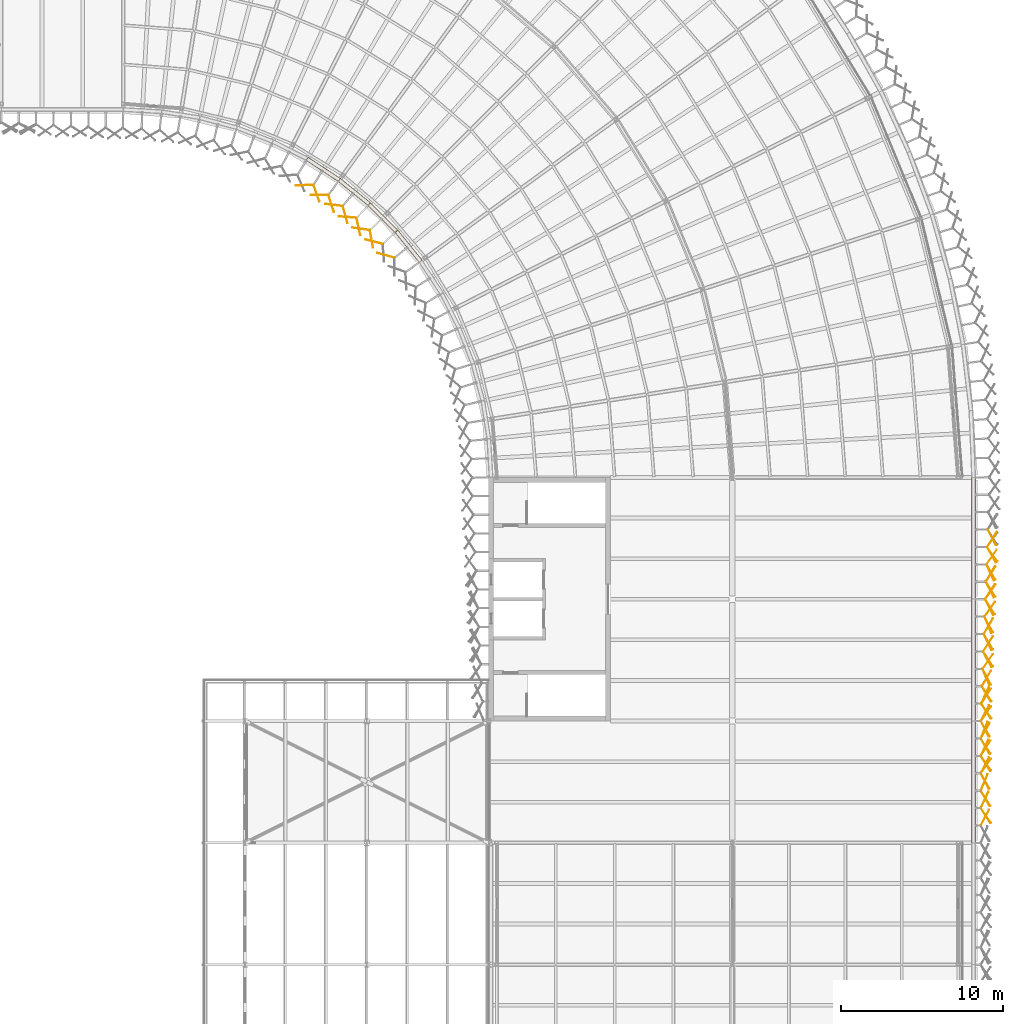
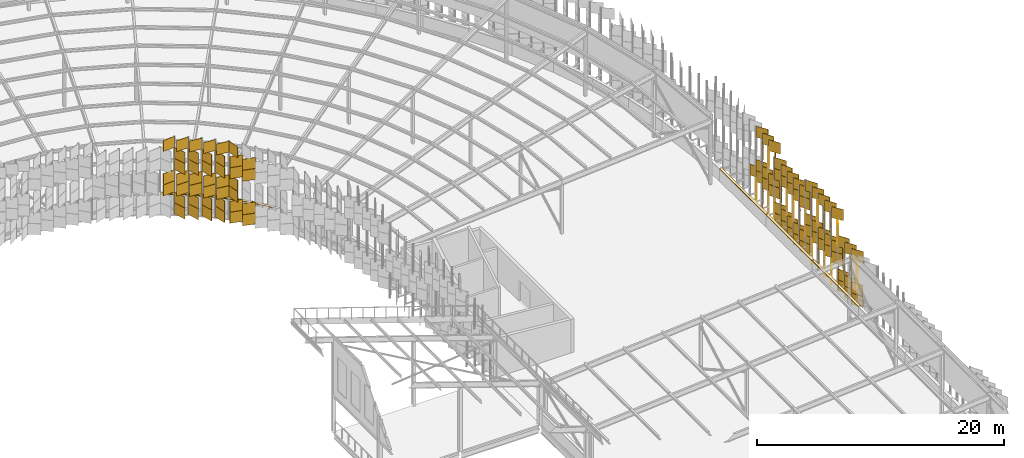
# One storey, part 473 of 483: 153 coverings.
"""IFC4 building model written with IfcOpenShell, lengths in metres."""

from ifc_helpers import new_model, si_unit, direction, frame, origin, origin_2d, place, context, subcontext, project, spatial, polyline, rectangle, outline, extrude, material, layer, layer_set, type_object, element, save


model = new_model("IFC4")

# Units and contexts
model_context = context("Model", 3, precision=1e-05, world=origin(), true_north=direction((0.0, 1.0)))
body_context = subcontext(model_context, "Body", "Model", "MODEL_VIEW")
ifc_project = project(units=[si_unit("LENGTHUNIT", "METRE"), si_unit("AREAUNIT", "SQUARE_METRE"), si_unit("VOLUMEUNIT", "CUBIC_METRE"), si_unit("PLANEANGLEUNIT", "RADIAN"), si_unit("MASSUNIT", "GRAM", prefix="KILO")], contexts=[model_context])

# Site, building, storey
site_placement = place(None, origin())
site = spatial("IfcSite", under=ifc_project, at=site_placement, CompositionType="ELEMENT")
building_placement = place(site_placement, origin())
building = spatial("IfcBuilding", under=site, at=building_placement, Name="Parallax Yard Mobility Hub", CompositionType="ELEMENT")
storey_placement = place(building_placement, frame((0.0, 0.0, 13.199951171875)))
storey = spatial("IfcBuildingStorey", under=building, at=storey_placement, Name="L04", CompositionType="ELEMENT", Elevation=13.199951171875)

# Coverings
ifc_material_1 = material(Name="Concrete fc' 35 MPa", Category="concrete")
ifc_layer_1 = layer(ifc_material_1, 0.06005859375)
ifc_layer_set_1 = layer_set([ifc_layer_1], Name="Parapet coping, Concrete fc' 35 MPa precast, 240")
covering_type_1 = type_object("IfcCoveringType", Name="Parapet coping, Concrete fc' 35 MPa precast, 240", PredefinedType="USERDEFINED", material=ifc_layer_set_1)
covering_1_placement = place(storey_placement, frame((0.0, 0.0, 1.199951171875)))
element("IfcCovering", 1, at=covering_1_placement, inside=storey, type_object=covering_type_1, Name="Parapet coping run 2 part 10", ObjectType="COPING", PredefinedType="USERDEFINED", context=body_context, shape_type="SweptSolid", body=[
    extrude(outline(polyline([(183.88330078125, 109.71630859375), (183.76318359375, 109.508056640625), (185.73388671875, 108.21435546875), (185.87548828125, 108.408447265625), (183.88330078125, 109.71630859375)])), origin(), (0.0, 0.0, 1.0), 0.06005859375),
])
covering_2_placement = place(storey_placement, frame((0.0, 0.0, 1.199951171875)))
element("IfcCovering", 2, at=covering_2_placement, inside=storey, type_object=covering_type_1, Name="Parapet coping run 2 part 11", ObjectType="COPING", PredefinedType="USERDEFINED", context=body_context, shape_type="SweptSolid", body=[
    extrude(outline(polyline([(185.87548828125, 108.408447265625), (185.73388671875, 108.21435546875), (187.56787109375, 106.734375), (187.728515625, 106.9130859375), (185.87548828125, 108.408447265625)])), origin(), (0.0, 0.0, 1.0), 0.06005859375),
])
covering_3_placement = place(storey_placement, frame((0.0, 0.0, 1.199951171875)))
element("IfcCovering", 3, at=covering_3_placement, inside=storey, type_object=covering_type_1, Name="Parapet coping run 2 part 12", ObjectType="COPING", PredefinedType="USERDEFINED", context=body_context, shape_type="SweptSolid", body=[
    extrude(outline(polyline([(187.728515625, 106.9130859375), (187.56787109375, 106.734375), (189.234619140625, 105.0673828125), (189.413330078125, 105.228271484375), (187.728515625, 106.9130859375)])), origin(), (0.0, 0.0, 1.0), 0.06005859375),
])
covering_4_placement = place(storey_placement, frame((0.0, 0.0, 1.199951171875)))
element("IfcCovering", 4, at=covering_4_placement, inside=storey, type_object=covering_type_1, Name="Parapet coping run 2 part 13", ObjectType="COPING", PredefinedType="USERDEFINED", context=body_context, shape_type="SweptSolid", body=[
    extrude(outline(polyline([(189.413330078125, 105.228271484375), (189.234619140625, 105.0673828125), (190.714599609375, 103.233642578125), (190.90869140625, 103.375244140625), (189.413330078125, 105.228271484375)])), origin(), (0.0, 0.0, 1.0), 0.06005859375),
])
covering_5_placement = place(storey_placement, frame((0.0, 0.0, 1.199951171875)))
element("IfcCovering", 5, at=covering_5_placement, inside=storey, type_object=covering_type_1, Name="Parapet coping run 4 part 14", ObjectType="COPING", PredefinedType="USERDEFINED", context=body_context, shape_type="SweptSolid", body=[
    extrude(outline(polyline([(224.73388671875, 67.500244140625), (224.97412109375, 67.500244140625), (224.97412109375, 75.000244140625), (224.73388671875, 75.000244140625), (224.73388671875, 67.500244140625)])), origin(), (0.0, 0.0, 1.0), 0.06005859375),
])
covering_6_placement = place(storey_placement, frame((0.0, 0.0, 1.199951171875)))
element("IfcCovering", 6, at=covering_6_placement, inside=storey, type_object=covering_type_1, Name="Parapet coping run 4 part 15", ObjectType="COPING", PredefinedType="USERDEFINED", context=body_context, shape_type="SweptSolid", body=[
    extrude(outline(polyline([(224.73388671875, 75.000244140625), (224.97412109375, 75.000244140625), (224.97412109375, 82.500244140625), (224.73388671875, 82.500244140625), (224.73388671875, 75.000244140625)])), origin(), (0.0, 0.0, 1.0), 0.06005859375),
])
covering_7_placement = place(storey_placement, frame((0.0, 0.0, 1.199951171875)))
element("IfcCovering", 7, at=covering_7_placement, inside=storey, type_object=covering_type_1, Name="Parapet coping run 4 part 16", ObjectType="COPING", PredefinedType="USERDEFINED", context=body_context, shape_type="SweptSolid", body=[
    extrude(outline(polyline([(224.73388671875, 82.500244140625), (224.97412109375, 82.500244140625), (224.97412109375, 89.999755859375), (224.73388671875, 89.994873046875), (224.73388671875, 82.500244140625)])), origin(), (0.0, 0.0, 1.0), 0.06005859375),
])
ifc_material_2 = material(Name="Aluminium panel, silver anodised", Category="aluminium")
ifc_layer_2 = layer(ifc_material_2, 0.030029296875)
ifc_layer_set_2 = layer_set([ifc_layer_2], Name="Skin panel 22.5 degree turn, silver anodised")
covering_type_2 = type_object("IfcCoveringType", Name="Skin panel 22.5 degree turn, silver anodised", PredefinedType="CLADDING", material=ifc_layer_set_2)
for number, where, z_axis, x_axis, name in (
    (8, (225.512939453125, 71.225341796875, 2.219970703125), (0.0, 0.0, 1.0), (0.382683432365, 0.923879532511, 0.0), "Skin panel 22.5 bay 38.4 row 3 level L04"),
    (9, (225.512939453125, 71.225341796875, 3.320068359375), (0.0, 0.0, 1.0), (0.382683432365, 0.923879532511, 0.0), "Skin panel 22.5 bay 38.4 row 4 level L04"),
    (10, (225.512939453125, 74.4404296875, 4.419921875), (0.0, 0.0, 1.0), (0.382683432365, 0.923879532511, 0.0), "Skin panel 22.5 bay 38.7 row 5 level L04"),
    (11, (225.512939453125, 74.4404296875, 5.52001953125), (0.0, 0.0, 1.0), (0.382683432365, 0.923879532511, 0.0), "Skin panel 22.5 bay 38.7 row 6 level L04"),
    (12, (225.623779296875, 77.699462890625, 0.02001953125), (0.0, 0.0, 1.0), (0.382683432365, -0.923879532511, 0.0), "Skin panel 22.5 bay 39.3 row 1 level L04"),
    (13, (225.623779296875, 77.699462890625, 1.1201171875), (0.0, 0.0, 1.0), (0.382683432365, -0.923879532511, 0.0), "Skin panel 22.5 bay 39.3 row 2 level L04"),
    (14, (225.744140625, 80.91455078125, 0.02001953125), (0.0, 0.0, 1.0), (0.382683432365, -0.923879532511, 0.0), "Skin panel 22.5 bay 39.6 row 1 level L04"),
    (15, (225.744140625, 80.91455078125, 1.1201171875), (0.0, 0.0, 1.0), (0.382683432365, -0.923879532511, 0.0), "Skin panel 22.5 bay 39.6 row 2 level L04"),
):
    element("IfcCovering", number, at=place(storey_placement, frame(where, z_axis=z_axis, x_axis=x_axis)), inside=storey, type_object=covering_type_2, Name=name, ObjectType="SCREEN", PredefinedType="CLADDING", context=body_context, shape_type="SweptSolid", body=[
        extrude(rectangle(XDim=1.080078125, YDim=0.030029296875, at=origin_2d()), origin(), (0.0, 0.0, 1.0), 1.080078125),
    ])
ifc_layer_3 = layer(ifc_material_2, 0.030029296875)
ifc_layer_set_3 = layer_set([ifc_layer_3], Name="Skin panel 25 degree turn, silver anodised")
covering_type_3 = type_object("IfcCoveringType", Name="Skin panel 25 degree turn, silver anodised", PredefinedType="CLADDING", material=ifc_layer_set_3)
for number, where, z_axis, x_axis, name in (
    (16, (225.53515625, 70.143798828125, 2.219970703125), (0.0, 0.0, 1.0), (0.422618261741, 0.906307787037, 0.0), "Skin panel 25 bay 38.3 row 3 level L04"),
    (17, (225.53515625, 70.143798828125, 3.320068359375), (0.0, 0.0, 1.0), (0.422618261741, 0.906307787037, 0.0), "Skin panel 25 bay 38.3 row 4 level L04"),
    (18, (225.53515625, 73.35888671875, 4.419921875), (0.0, 0.0, 1.0), (0.422618261741, 0.906307787037, 0.0), "Skin panel 25 bay 38.6 row 5 level L04"),
    (19, (225.53515625, 73.35888671875, 5.52001953125), (0.0, 0.0, 1.0), (0.422618261741, 0.906307787037, 0.0), "Skin panel 25 bay 38.6 row 6 level L04"),
    (20, (225.56591796875, 76.57421875, 4.419921875), (0.0, 0.0, 1.0), (0.422618261741, 0.906307787037, 0.0), "Skin panel 25 bay 39.2 row 5 level L04"),
    (21, (225.56591796875, 76.57421875, 5.52001953125), (0.0, 0.0, 1.0), (0.422618261741, 0.906307787037, 0.0), "Skin panel 25 bay 39.2 row 6 level L04"),
    (22, (225.726318359375, 79.8525390625, 0.02001953125), (0.0, 0.0, 1.0), (0.422618261741, -0.906307787037, 0.0), "Skin panel 25 bay 39.5 row 1 level L04"),
    (23, (225.726318359375, 79.8525390625, 1.1201171875), (0.0, 0.0, 1.0), (0.422618261741, -0.906307787037, 0.0), "Skin panel 25 bay 39.5 row 2 level L04"),
    (24, (225.88671875, 84.139404296875, 2.219970703125), (0.0, 0.0, 1.0), (0.422618261741, -0.906307787037, 0.0), "Skin panel 25 bay 40.2 row 3 level L04"),
    (25, (225.88671875, 84.139404296875, 3.320068359375), (0.0, 0.0, 1.0), (0.422618261741, -0.906307787037, 0.0), "Skin panel 25 bay 40.2 row 4 level L04"),
):
    element("IfcCovering", number, at=place(storey_placement, frame(where, z_axis=z_axis, x_axis=x_axis)), inside=storey, type_object=covering_type_3, Name=name, ObjectType="SCREEN", PredefinedType="CLADDING", context=body_context, shape_type="SweptSolid", body=[
        extrude(rectangle(XDim=1.080078125, YDim=0.030029296875, at=origin_2d()), origin(), (0.0, 0.0, 1.0), 1.080078125),
    ])
ifc_layer_4 = layer(ifc_material_2, 0.030029296875)
ifc_layer_set_4 = layer_set([ifc_layer_4], Name="Skin panel 27.5 degree turn, silver anodised")
covering_type_4 = type_object("IfcCoveringType", Name="Skin panel 27.5 degree turn, silver anodised", PredefinedType="CLADDING", material=ifc_layer_set_4)
for number, where, z_axis, x_axis, name in (
    (26, (225.556884765625, 69.061279296875, 2.219970703125), (0.0, 0.0, 1.0), (0.461748613235, 0.887010833178, 0.0), "Skin panel 27.5 bay 38.2 row 3 level L04"),
    (27, (225.556884765625, 69.061279296875, 3.320068359375), (0.0, 0.0, 1.0), (0.461748613235, 0.887010833178, 0.0), "Skin panel 27.5 bay 38.2 row 4 level L04"),
    (28, (225.556884765625, 71.28955078125, 0.02001953125), (0.0, 0.0, 1.0), (0.461748613235, -0.887010833178, 0.0), "Skin panel 27.5 bay 38.4 row 1 level L04"),
    (29, (225.556884765625, 71.28955078125, 1.1201171875), (0.0, 0.0, 1.0), (0.461748613235, -0.887010833178, 0.0), "Skin panel 27.5 bay 38.4 row 2 level L04"),
    (30, (225.556884765625, 72.276611328125, 4.419921875), (0.0, 0.0, 1.0), (0.461748613235, 0.887010833178, 0.0), "Skin panel 27.5 bay 38.5 row 5 level L04"),
    (31, (225.556884765625, 72.276611328125, 5.52001953125), (0.0, 0.0, 1.0), (0.461748613235, 0.887010833178, 0.0), "Skin panel 27.5 bay 38.5 row 6 level L04"),
    (32, (225.556884765625, 74.504638671875, 2.219970703125), (0.0, 0.0, 1.0), (0.461748613235, -0.887010833178, 0.0), "Skin panel 27.5 bay 38.7 row 3 level L04"),
    (33, (225.556884765625, 74.504638671875, 3.320068359375), (0.0, 0.0, 1.0), (0.461748613235, -0.887010833178, 0.0), "Skin panel 27.5 bay 38.7 row 4 level L04"),
    (34, (225.556884765625, 75.49169921875, 4.419921875), (0.0, 0.0, 1.0), (0.461748613235, 0.887010833178, 0.0), "Skin panel 27.5 bay 39.1 row 5 level L04"),
    (35, (225.556884765625, 75.49169921875, 5.52001953125), (0.0, 0.0, 1.0), (0.461748613235, 0.887010833178, 0.0), "Skin panel 27.5 bay 39.1 row 6 level L04"),
    (36, (225.667724609375, 77.719970703125, 4.419921875), (0.0, 0.0, 1.0), (0.461748613235, -0.887010833178, 0.0), "Skin panel 27.5 bay 39.3 row 5 level L04"),
    (37, (225.667724609375, 77.719970703125, 5.52001953125), (0.0, 0.0, 1.0), (0.461748613235, -0.887010833178, 0.0), "Skin panel 27.5 bay 39.3 row 6 level L04"),
    (38, (225.7080078125, 78.79150390625, 0.02001953125), (0.0, 0.0, 1.0), (0.461748613235, -0.887010833178, 0.0), "Skin panel 27.5 bay 39.4 row 1 level L04"),
    (39, (225.7080078125, 78.79150390625, 1.1201171875), (0.0, 0.0, 1.0), (0.461748613235, -0.887010833178, 0.0), "Skin panel 27.5 bay 39.4 row 2 level L04"),
    (40, (225.7880859375, 80.93505859375, 4.419921875), (0.0, 0.0, 1.0), (0.461748613235, -0.887010833178, 0.0), "Skin panel 27.5 bay 39.6 row 5 level L04"),
    (41, (225.7880859375, 80.93505859375, 5.52001953125), (0.0, 0.0, 1.0), (0.461748613235, -0.887010833178, 0.0), "Skin panel 27.5 bay 39.6 row 6 level L04"),
    (42, (225.828125, 82.0068359375, 0.02001953125), (0.0, 0.0, 1.0), (0.461748613235, -0.887010833178, 0.0), "Skin panel 27.5 bay 39.7 row 1 level L04"),
    (43, (225.828125, 82.0068359375, 1.1201171875), (0.0, 0.0, 1.0), (0.461748613235, -0.887010833178, 0.0), "Skin panel 27.5 bay 39.7 row 2 level L04"),
    (44, (225.868408203125, 83.07861328125, 2.219970703125), (0.0, 0.0, 1.0), (0.461748613235, -0.887010833178, 0.0), "Skin panel 27.5 bay 40.1 row 3 level L04"),
    (45, (225.868408203125, 83.07861328125, 3.320068359375), (0.0, 0.0, 1.0), (0.461748613235, -0.887010833178, 0.0), "Skin panel 27.5 bay 40.1 row 4 level L04"),
    (46, (225.988525390625, 86.293701171875, 2.219970703125), (0.0, 0.0, 1.0), (0.461748613235, -0.887010833178, 0.0), "Skin panel 27.5 bay 40.4 row 3 level L04"),
):
    element("IfcCovering", number, at=place(storey_placement, frame(where, z_axis=z_axis, x_axis=x_axis)), inside=storey, type_object=covering_type_4, Name=name, ObjectType="SCREEN", PredefinedType="CLADDING", context=body_context, shape_type="SweptSolid", body=[
        extrude(rectangle(XDim=1.080078125, YDim=0.030029296875, at=origin_2d()), origin(), (0.0, 0.0, 1.0), 1.080078125),
    ])
ifc_layer_5 = layer(ifc_material_2, 0.030029296875)
ifc_layer_set_5 = layer_set([ifc_layer_5], Name="Skin panel 30 degree turn, silver anodised")
covering_type_5 = type_object("IfcCoveringType", Name="Skin panel 30 degree turn, silver anodised", PredefinedType="CLADDING", material=ifc_layer_set_5)
for number, where, z_axis, x_axis, name in (
    (47, (225.578125, 70.2294921875, 0.02001953125), (0.0, 0.0, 1.0), (0.5, -0.866025403784, 0.0), "Skin panel 30 bay 38.3 row 1 level L04"),
    (48, (225.578125, 70.2294921875, 1.1201171875), (0.0, 0.0, 1.0), (0.5, -0.866025403784, 0.0), "Skin panel 30 bay 38.3 row 2 level L04"),
    (49, (225.578125, 71.30126953125, 4.419921875), (0.0, 0.0, 1.0), (0.5, -0.866025403784, 0.0), "Skin panel 30 bay 38.4 row 5 level L04"),
    (50, (225.578125, 73.444580078125, 2.219970703125), (0.0, 0.0, 1.0), (0.5, -0.866025403784, 0.0), "Skin panel 30 bay 38.6 row 3 level L04"),
    (51, (225.578125, 73.444580078125, 3.320068359375), (0.0, 0.0, 1.0), (0.5, -0.866025403784, 0.0), "Skin panel 30 bay 38.6 row 4 level L04"),
    (52, (225.578125, 74.408203125, 0.02001953125), (0.0, 0.0, 1.0), (0.5, 0.866025403784, 0.0), "Skin panel 30 bay 38.7 row 1 level L04"),
    (53, (225.578125, 74.408203125, 1.1201171875), (0.0, 0.0, 1.0), (0.5, 0.866025403784, 0.0), "Skin panel 30 bay 38.7 row 2 level L04"),
    (54, (225.578125, 74.516357421875, 6.6201171875), (0.0, 0.0, 1.0), (0.5, -0.866025403784, 0.0), "Skin panel 30 bay 38.7 row 7 level L04"),
    (55, (225.64892578125, 76.659912109375, 2.219970703125), (0.0, 0.0, 1.0), (0.5, -0.866025403784, 0.0), "Skin panel 30 bay 39.2 row 3 level L04"),
    (56, (225.64892578125, 76.659912109375, 3.320068359375), (0.0, 0.0, 1.0), (0.5, -0.866025403784, 0.0), "Skin panel 30 bay 39.2 row 4 level L04"),
    (57, (225.64892578125, 77.62353515625, 2.219970703125), (0.0, 0.0, 1.0), (0.5, 0.866025403784, 0.0), "Skin panel 30 bay 39.3 row 3 level L04"),
    (58, (225.64892578125, 77.62353515625, 3.320068359375), (0.0, 0.0, 1.0), (0.5, 0.866025403784, 0.0), "Skin panel 30 bay 39.3 row 4 level L04"),
    (59, (225.769287109375, 79.875, 4.419921875), (0.0, 0.0, 1.0), (0.5, -0.866025403784, 0.0), "Skin panel 30 bay 39.5 row 5 level L04"),
    (60, (225.769287109375, 79.875, 5.52001953125), (0.0, 0.0, 1.0), (0.5, -0.866025403784, 0.0), "Skin panel 30 bay 39.5 row 6 level L04"),
    (61, (225.769287109375, 80.838623046875, 2.219970703125), (0.0, 0.0, 1.0), (0.5, 0.866025403784, 0.0), "Skin panel 30 bay 39.6 row 3 level L04"),
    (62, (225.769287109375, 80.838623046875, 3.320068359375), (0.0, 0.0, 1.0), (0.5, 0.866025403784, 0.0), "Skin panel 30 bay 39.6 row 4 level L04"),
    (63, (225.889404296875, 84.053955078125, 0.02001953125), (0.0, 0.0, 1.0), (0.5, 0.866025403784, 0.0), "Skin panel 30 bay 40.2 row 1 level L04"),
    (64, (225.889404296875, 84.053955078125, 1.1201171875), (0.0, 0.0, 1.0), (0.5, 0.866025403784, 0.0), "Skin panel 30 bay 40.2 row 2 level L04"),
    (65, (225.9296875, 84.162109375, 6.6201171875), (0.0, 0.0, 1.0), (0.5, -0.866025403784, 0.0), "Skin panel 30 bay 40.2 row 7 level L04"),
    (66, (225.9697265625, 85.233642578125, 2.219970703125), (0.0, 0.0, 1.0), (0.5, -0.866025403784, 0.0), "Skin panel 30 bay 40.3 row 3 level L04"),
    (67, (225.9697265625, 85.233642578125, 3.320068359375), (0.0, 0.0, 1.0), (0.5, -0.866025403784, 0.0), "Skin panel 30 bay 40.3 row 4 level L04"),
):
    element("IfcCovering", number, at=place(storey_placement, frame(where, z_axis=z_axis, x_axis=x_axis)), inside=storey, type_object=covering_type_5, Name=name, ObjectType="SCREEN", PredefinedType="CLADDING", context=body_context, shape_type="SweptSolid", body=[
        extrude(rectangle(XDim=1.080078125, YDim=0.030029296875, at=origin_2d()), origin(), (0.0, 0.0, 1.0), 1.080078125),
    ])
ifc_layer_6 = layer(ifc_material_2, 0.030029296875)
ifc_layer_set_6 = layer_set([ifc_layer_6], Name="Skin panel 32.5 degree turn, silver anodised")
covering_type_6 = type_object("IfcCoveringType", Name="Skin panel 32.5 degree turn, silver anodised", PredefinedType="CLADDING", material=ifc_layer_set_6)
for number, where, z_axis, x_axis, name in (
    (68, (225.598876953125, 69.17041015625, 0.02001953125), (0.0, 0.0, 1.0), (0.537299608347, -0.843391445813, 0.0), "Skin panel 32.5 bay 38.2 row 1 level L04"),
    (69, (225.598876953125, 69.17041015625, 1.1201171875), (0.0, 0.0, 1.0), (0.537299608347, -0.843391445813, 0.0), "Skin panel 32.5 bay 38.2 row 2 level L04"),
    (70, (225.598876953125, 70.2421875, 4.419921875), (0.0, 0.0, 1.0), (0.537299608347, -0.843391445813, 0.0), "Skin panel 32.5 bay 38.3 row 5 level L04"),
    (71, (225.598876953125, 72.385498046875, 2.219970703125), (0.0, 0.0, 1.0), (0.537299608347, -0.843391445813, 0.0), "Skin panel 32.5 bay 38.5 row 3 level L04"),
    (72, (225.598876953125, 72.385498046875, 3.320068359375), (0.0, 0.0, 1.0), (0.537299608347, -0.843391445813, 0.0), "Skin panel 32.5 bay 38.5 row 4 level L04"),
    (73, (225.598876953125, 73.323974609375, 0.02001953125), (0.0, 0.0, 1.0), (0.537299608347, 0.843391445813, 0.0), "Skin panel 32.5 bay 38.6 row 1 level L04"),
    (74, (225.598876953125, 73.323974609375, 1.1201171875), (0.0, 0.0, 1.0), (0.537299608347, 0.843391445813, 0.0), "Skin panel 32.5 bay 38.6 row 2 level L04"),
    (75, (225.598876953125, 73.457275390625, 6.6201171875), (0.0, 0.0, 1.0), (0.537299608347, -0.843391445813, 0.0), "Skin panel 32.5 bay 38.6 row 7 level L04"),
    (76, (225.629638671875, 75.6005859375, 2.219970703125), (0.0, 0.0, 1.0), (0.537299608347, -0.843391445813, 0.0), "Skin panel 32.5 bay 39.1 row 3 level L04"),
    (77, (225.629638671875, 75.6005859375, 3.320068359375), (0.0, 0.0, 1.0), (0.537299608347, -0.843391445813, 0.0), "Skin panel 32.5 bay 39.1 row 4 level L04"),
    (78, (225.629638671875, 76.5390625, 0.02001953125), (0.0, 0.0, 1.0), (0.537299608347, 0.843391445813, 0.0), "Skin panel 32.5 bay 39.2 row 1 level L04"),
    (79, (225.629638671875, 76.5390625, 1.1201171875), (0.0, 0.0, 1.0), (0.537299608347, 0.843391445813, 0.0), "Skin panel 32.5 bay 39.2 row 2 level L04"),
    (80, (225.669921875, 76.67236328125, 6.6201171875), (0.0, 0.0, 1.0), (0.537299608347, -0.843391445813, 0.0), "Skin panel 32.5 bay 39.2 row 7 level L04"),
    (81, (225.75, 78.81591796875, 4.419921875), (0.0, 0.0, 1.0), (0.537299608347, -0.843391445813, 0.0), "Skin panel 32.5 bay 39.4 row 5 level L04"),
    (82, (225.75, 78.81591796875, 5.52001953125), (0.0, 0.0, 1.0), (0.537299608347, -0.843391445813, 0.0), "Skin panel 32.5 bay 39.4 row 6 level L04"),
    (83, (225.75, 79.75439453125, 2.219970703125), (0.0, 0.0, 1.0), (0.537299608347, 0.843391445813, 0.0), "Skin panel 32.5 bay 39.5 row 3 level L04"),
    (84, (225.75, 79.75439453125, 3.320068359375), (0.0, 0.0, 1.0), (0.537299608347, 0.843391445813, 0.0), "Skin panel 32.5 bay 39.5 row 4 level L04"),
    (85, (225.8701171875, 82.031005859375, 4.419921875), (0.0, 0.0, 1.0), (0.537299608347, -0.843391445813, 0.0), "Skin panel 32.5 bay 39.7 row 5 level L04"),
    (86, (225.8701171875, 82.031005859375, 5.52001953125), (0.0, 0.0, 1.0), (0.537299608347, -0.843391445813, 0.0), "Skin panel 32.5 bay 39.7 row 6 level L04"),
    (87, (225.8701171875, 82.969482421875, 0.02001953125), (0.0, 0.0, 1.0), (0.537299608347, 0.843391445813, 0.0), "Skin panel 32.5 bay 40.1 row 1 level L04"),
    (88, (225.8701171875, 82.969482421875, 1.1201171875), (0.0, 0.0, 1.0), (0.537299608347, 0.843391445813, 0.0), "Skin panel 32.5 bay 40.1 row 2 level L04"),
    (89, (225.910400390625, 83.102783203125, 6.6201171875), (0.0, 0.0, 1.0), (0.537299608347, -0.843391445813, 0.0), "Skin panel 32.5 bay 40.1 row 7 level L04"),
    (90, (225.910400390625, 84.041259765625, 4.419921875), (0.0, 0.0, 1.0), (0.537299608347, 0.843391445813, 0.0), "Skin panel 32.5 bay 40.2 row 5 level L04"),
    (91, (225.910400390625, 84.041259765625, 5.52001953125), (0.0, 0.0, 1.0), (0.537299608347, 0.843391445813, 0.0), "Skin panel 32.5 bay 40.2 row 6 level L04"),
    (92, (225.990478515625, 86.184814453125, 0.02001953125), (0.0, 0.0, 1.0), (0.537299608347, 0.843391445813, 0.0), "Skin panel 32.5 bay 40.4 row 1 level L04"),
    (93, (225.990478515625, 86.184814453125, 1.1201171875), (0.0, 0.0, 1.0), (0.537299608347, 0.843391445813, 0.0), "Skin panel 32.5 bay 40.4 row 2 level L04"),
    (94, (185.3076171875, 106.852783203125, 0.02001953125), (0.0, 0.0, 1.0), (0.311091140771, -0.950380082985, 0.0), "Skin panel 32.5 bay 20.1 row 1 level L04"),
    (95, (185.3076171875, 106.852783203125, 1.1201171875), (0.0, 0.0, 1.0), (0.311091140771, -0.950380082985, 0.0), "Skin panel 32.5 bay 20.1 row 2 level L04"),
    (96, (185.46728515625, 106.76904296875, 2.219970703125), (0.0, 0.0, 1.0), (-0.992809667009, 0.119703655305, 0.0), "Skin panel 32.5 bay 20.1 row 3 level L04"),
    (97, (185.46728515625, 106.76904296875, 3.320068359375), (0.0, 0.0, 1.0), (-0.992809667009, 0.119703655305, 0.0), "Skin panel 32.5 bay 20.1 row 4 level L04"),
    (98, (185.3076171875, 106.852783203125, 4.419921875), (0.0, 0.0, 1.0), (0.311091140771, -0.950380082985, 0.0), "Skin panel 32.5 bay 20.1 row 5 level L04"),
    (99, (185.3076171875, 106.852783203125, 5.52001953125), (0.0, 0.0, 1.0), (0.311091140771, -0.950380082985, 0.0), "Skin panel 32.5 bay 20.1 row 6 level L04"),
    (100, (185.46728515625, 106.76904296875, 6.6201171875), (0.0, 0.0, 1.0), (-0.992809667009, 0.119703655305, 0.0), "Skin panel 32.5 bay 20.1 row 7 level L04"),
    (101, (187.9423828125, 104.5087890625, 0.02001953125), (0.0, 0.0, 1.0), (-0.968691580357, 0.248267239374, 0.0), "Skin panel 32.5 bay 20.4 row 1 level L04"),
    (102, (187.9423828125, 104.5087890625, 1.1201171875), (0.0, 0.0, 1.0), (-0.968691580357, 0.248267239374, 0.0), "Skin panel 32.5 bay 20.4 row 2 level L04"),
    (103, (187.78955078125, 104.672119140625, 2.219970703125), (0.0, 0.0, 1.0), (0.184380219543, -0.982854991665, 0.0), "Skin panel 32.5 bay 20.4 row 3 level L04"),
    (104, (187.78955078125, 104.672119140625, 3.320068359375), (0.0, 0.0, 1.0), (0.184380219543, -0.982854991665, 0.0), "Skin panel 32.5 bay 20.4 row 4 level L04"),
    (105, (187.9423828125, 104.5087890625, 4.419921875), (0.0, 0.0, 1.0), (-0.968691580357, 0.248267239374, 0.0), "Skin panel 32.5 bay 20.4 row 5 level L04"),
    (106, (187.9423828125, 104.5087890625, 5.52001953125), (0.0, 0.0, 1.0), (-0.968691580357, 0.248267239374, 0.0), "Skin panel 32.5 bay 20.4 row 6 level L04"),
    (107, (187.78955078125, 104.672119140625, 6.6201171875), (0.0, 0.0, 1.0), (0.184380219543, -0.982854991665, 0.0), "Skin panel 32.5 bay 20.4 row 7 level L04"),
):
    element("IfcCovering", number, at=place(storey_placement, frame(where, z_axis=z_axis, x_axis=x_axis)), inside=storey, type_object=covering_type_6, Name=name, ObjectType="SCREEN", PredefinedType="CLADDING", context=body_context, shape_type="SweptSolid", body=[
        extrude(rectangle(XDim=1.080078125, YDim=0.030029296875, at=origin_2d()), origin(), (0.0, 0.0, 1.0), 1.080078125),
    ])
ifc_layer_7 = layer(ifc_material_2, 0.030029296875)
ifc_layer_set_7 = layer_set([ifc_layer_7], Name="Skin panel 35 degree turn, silver anodised")
covering_type_7 = type_object("IfcCoveringType", Name="Skin panel 35 degree turn, silver anodised", PredefinedType="CLADDING", material=ifc_layer_set_7)
for number, where, z_axis, x_axis, name in (
    (108, (225.619140625, 69.183837890625, 4.419921875), (0.0, 0.0, 1.0), (0.573576436351, -0.819152044289, 0.0), "Skin panel 35 bay 38.2 row 5 level L04"),
    (109, (225.619140625, 72.23876953125, 0.02001953125), (0.0, 0.0, 1.0), (0.573576436351, 0.819152044289, 0.0), "Skin panel 35 bay 38.5 row 1 level L04"),
    (110, (225.619140625, 72.23876953125, 1.1201171875), (0.0, 0.0, 1.0), (0.573576436351, 0.819152044289, 0.0), "Skin panel 35 bay 38.5 row 2 level L04"),
    (111, (225.619140625, 72.39892578125, 6.6201171875), (0.0, 0.0, 1.0), (0.573576436351, -0.819152044289, 0.0), "Skin panel 35 bay 38.5 row 7 level L04"),
    (112, (225.619140625, 75.453857421875, 0.02001953125), (0.0, 0.0, 1.0), (0.573576436351, 0.819152044289, 0.0), "Skin panel 35 bay 39.1 row 1 level L04"),
    (113, (225.619140625, 75.453857421875, 1.1201171875), (0.0, 0.0, 1.0), (0.573576436351, 0.819152044289, 0.0), "Skin panel 35 bay 39.1 row 2 level L04"),
    (114, (225.64990234375, 75.6142578125, 6.6201171875), (0.0, 0.0, 1.0), (0.573576436351, -0.819152044289, 0.0), "Skin panel 35 bay 39.1 row 7 level L04"),
    (115, (225.72998046875, 78.669189453125, 2.219970703125), (0.0, 0.0, 1.0), (0.573576436351, 0.819152044289, 0.0), "Skin panel 35 bay 39.4 row 3 level L04"),
    (116, (225.72998046875, 78.669189453125, 3.320068359375), (0.0, 0.0, 1.0), (0.573576436351, 0.819152044289, 0.0), "Skin panel 35 bay 39.4 row 4 level L04"),
    (117, (225.850341796875, 81.88427734375, 2.219970703125), (0.0, 0.0, 1.0), (0.573576436351, 0.819152044289, 0.0), "Skin panel 35 bay 39.7 row 3 level L04"),
    (118, (225.850341796875, 81.88427734375, 3.320068359375), (0.0, 0.0, 1.0), (0.573576436351, 0.819152044289, 0.0), "Skin panel 35 bay 39.7 row 4 level L04"),
    (119, (225.890380859375, 82.9560546875, 4.419921875), (0.0, 0.0, 1.0), (0.573576436351, 0.819152044289, 0.0), "Skin panel 35 bay 40.1 row 5 level L04"),
    (120, (225.890380859375, 82.9560546875, 5.52001953125), (0.0, 0.0, 1.0), (0.573576436351, 0.819152044289, 0.0), "Skin panel 35 bay 40.1 row 6 level L04"),
    (121, (225.970703125, 85.099609375, 0.02001953125), (0.0, 0.0, 1.0), (0.573576436351, 0.819152044289, 0.0), "Skin panel 35 bay 40.3 row 1 level L04"),
    (122, (225.970703125, 85.099609375, 1.1201171875), (0.0, 0.0, 1.0), (0.573576436351, 0.819152044289, 0.0), "Skin panel 35 bay 40.3 row 2 level L04"),
    (123, (225.970703125, 85.099609375, 4.419921875), (0.0, 0.0, 1.0), (0.573576436351, 0.819152044289, 0.0), "Skin panel 35 bay 40.3 row 5 level L04"),
    (124, (225.970703125, 85.099609375, 5.52001953125), (0.0, 0.0, 1.0), (0.573576436351, 0.819152044289, 0.0), "Skin panel 35 bay 40.3 row 6 level L04"),
    (125, (226.0107421875, 85.259765625, 6.6201171875), (0.0, 0.0, 1.0), (0.573576436351, -0.819152044289, 0.0), "Skin panel 35 bay 40.3 row 7 level L04"),
    (126, (183.661865234375, 107.987060546875, 2.219970703125), (0.0, 0.0, 1.0), (-0.99851297894, -0.054514501638, 0.0), "Skin panel 35 bay 19.5 row 3 level L04"),
    (127, (183.661865234375, 107.987060546875, 3.320068359375), (0.0, 0.0, 1.0), (-0.99851297894, -0.054514501638, 0.0), "Skin panel 35 bay 19.5 row 4 level L04"),
    (128, (183.661865234375, 107.987060546875, 6.6201171875), (0.0, 0.0, 1.0), (-0.99851297894, -0.054514501638, 0.0), "Skin panel 35 bay 19.5 row 7 level L04"),
    (129, (184.402099609375, 107.492431640625, 0.02001953125), (0.0, 0.0, 1.0), (0.331749541753, -0.94336750079, 0.0), "Skin panel 35 bay 19.6 row 1 level L04"),
    (130, (184.402099609375, 107.492431640625, 1.1201171875), (0.0, 0.0, 1.0), (0.331749541753, -0.94336750079, 0.0), "Skin panel 35 bay 19.6 row 2 level L04"),
    (131, (184.578369140625, 107.3876953125, 2.219970703125), (0.0, 0.0, 1.0), (-0.999940505, 0.010908091494, 0.0), "Skin panel 35 bay 19.6 row 3 level L04"),
    (132, (184.578369140625, 107.3876953125, 3.320068359375), (0.0, 0.0, 1.0), (-0.999940505, 0.010908091494, 0.0), "Skin panel 35 bay 19.6 row 4 level L04"),
    (133, (184.402099609375, 107.492431640625, 4.419921875), (0.0, 0.0, 1.0), (0.331749541753, -0.94336750079, 0.0), "Skin panel 35 bay 19.6 row 5 level L04"),
    (134, (184.402099609375, 107.492431640625, 5.52001953125), (0.0, 0.0, 1.0), (0.331749541753, -0.94336750079, 0.0), "Skin panel 35 bay 19.6 row 6 level L04"),
    (135, (184.578369140625, 107.3876953125, 6.6201171875), (0.0, 0.0, 1.0), (-0.999940505, 0.010908091494, 0.0), "Skin panel 35 bay 19.6 row 7 level L04"),
    (136, (186.169677734375, 106.16650390625, 0.02001953125), (0.0, 0.0, 1.0), (0.269340053953, -0.963045136708, 0.0), "Skin panel 35 bay 20.2 row 1 level L04"),
    (137, (186.169677734375, 106.16650390625, 1.1201171875), (0.0, 0.0, 1.0), (0.269340053953, -0.963045136708, 0.0), "Skin panel 35 bay 20.2 row 2 level L04"),
    (138, (186.31640625, 106.0234375, 2.219970703125), (0.0, 0.0, 1.0), (-0.997086132304, 0.076283974504, 0.0), "Skin panel 35 bay 20.2 row 3 level L04"),
    (139, (186.31640625, 106.0234375, 3.320068359375), (0.0, 0.0, 1.0), (-0.997086132304, 0.076283974504, 0.0), "Skin panel 35 bay 20.2 row 4 level L04"),
    (140, (186.169677734375, 106.16650390625, 4.419921875), (0.0, 0.0, 1.0), (0.269340053953, -0.963045136708, 0.0), "Skin panel 35 bay 20.2 row 5 level L04"),
    (141, (186.169677734375, 106.16650390625, 5.52001953125), (0.0, 0.0, 1.0), (0.269340053953, -0.963045136708, 0.0), "Skin panel 35 bay 20.2 row 6 level L04"),
    (142, (186.31640625, 106.0234375, 6.6201171875), (0.0, 0.0, 1.0), (-0.997086132304, 0.076283974504, 0.0), "Skin panel 35 bay 20.2 row 7 level L04"),
    (143, (186.985595703125, 105.4365234375, 0.02001953125), (0.0, 0.0, 1.0), (0.205777210692, -0.978598865501, 0.0), "Skin panel 35 bay 20.3 row 1 level L04"),
    (144, (186.985595703125, 105.4365234375, 1.1201171875), (0.0, 0.0, 1.0), (0.205777210692, -0.978598865501, 0.0), "Skin panel 35 bay 20.3 row 2 level L04"),
    (145, (187.135986328125, 105.297607421875, 2.219970703125), (0.0, 0.0, 1.0), (-0.989962083715, 0.141333197824, 0.0), "Skin panel 35 bay 20.3 row 3 level L04"),
    (146, (187.135986328125, 105.297607421875, 3.320068359375), (0.0, 0.0, 1.0), (-0.989962083715, 0.141333197824, 0.0), "Skin panel 35 bay 20.3 row 4 level L04"),
    (147, (186.985595703125, 105.4365234375, 4.419921875), (0.0, 0.0, 1.0), (0.205777210692, -0.978598865501, 0.0), "Skin panel 35 bay 20.3 row 5 level L04"),
    (148, (186.985595703125, 105.4365234375, 5.52001953125), (0.0, 0.0, 1.0), (0.205777210692, -0.978598865501, 0.0), "Skin panel 35 bay 20.3 row 6 level L04"),
    (149, (187.135986328125, 105.297607421875, 6.6201171875), (0.0, 0.0, 1.0), (-0.989962083715, 0.141333197824, 0.0), "Skin panel 35 bay 20.3 row 7 level L04"),
    (150, (188.666748046875, 103.669189453125, 0.02001953125), (0.0, 0.0, 1.0), (-0.963045136708, 0.269340053953, 0.0), "Skin panel 35 bay 20.5 row 1 level L04"),
    (151, (188.666748046875, 103.669189453125, 1.1201171875), (0.0, 0.0, 1.0), (-0.963045136708, 0.269340053953, 0.0), "Skin panel 35 bay 20.5 row 2 level L04"),
    (152, (188.666748046875, 103.669189453125, 4.419921875), (0.0, 0.0, 1.0), (-0.963045136708, 0.269340053953, 0.0), "Skin panel 35 bay 20.5 row 5 level L04"),
    (153, (188.666748046875, 103.669189453125, 5.52001953125), (0.0, 0.0, 1.0), (-0.963045136708, 0.269340053953, 0.0), "Skin panel 35 bay 20.5 row 6 level L04"),
):
    element("IfcCovering", number, at=place(storey_placement, frame(where, z_axis=z_axis, x_axis=x_axis)), inside=storey, type_object=covering_type_7, Name=name, ObjectType="SCREEN", PredefinedType="CLADDING", context=body_context, shape_type="SweptSolid", body=[
        extrude(rectangle(XDim=1.080078125, YDim=0.030029296875, at=origin_2d()), origin(), (0.0, 0.0, 1.0), 1.080078125),
    ])

save(model, "model.ifc")
